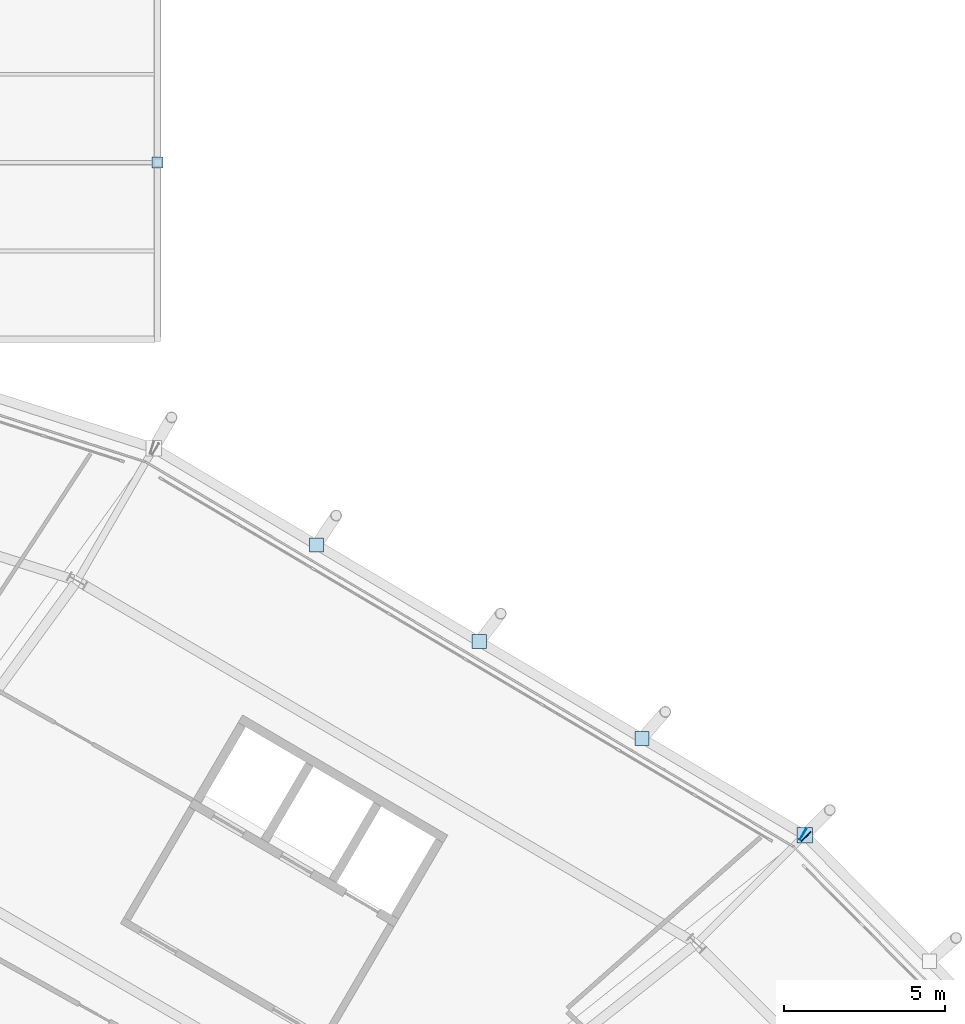
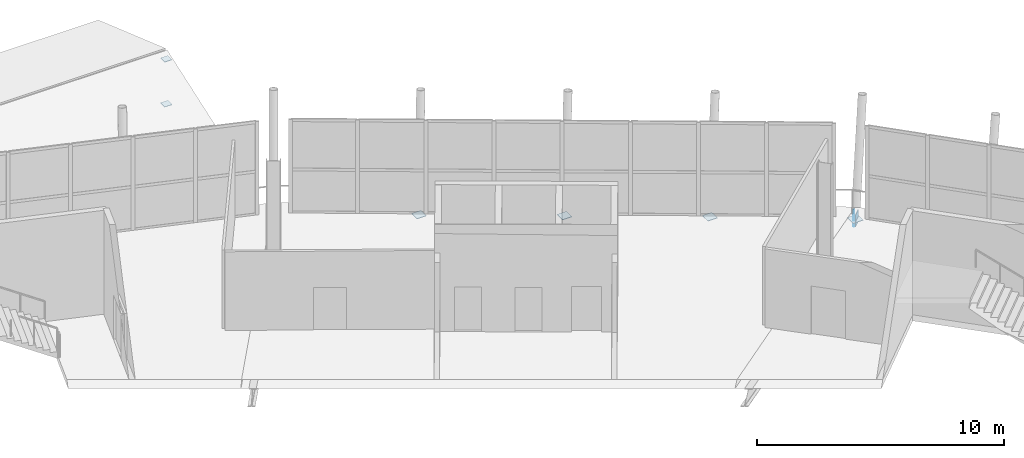
# One storey, part 93 of 126: 8 plates.
"""IFC4 building model written with IfcOpenShell, lengths in metres."""

from ifc_helpers import new_model, si_unit, direction, frame, origin, origin_2d, place, context, subcontext, project, spatial, rectangle, extrude, material, layer, layer_set, type_object, element, save


model = new_model("IFC4")

# Units and contexts
model_context = context("Model", 3, precision=1e-05, world=origin(), true_north=direction((0.0, 1.0)))
body_context = subcontext(model_context, "Body", "Model", "MODEL_VIEW")
ifc_project = project(units=[si_unit("LENGTHUNIT", "METRE"), si_unit("AREAUNIT", "SQUARE_METRE"), si_unit("VOLUMEUNIT", "CUBIC_METRE"), si_unit("PLANEANGLEUNIT", "RADIAN"), si_unit("MASSUNIT", "GRAM", prefix="KILO")], contexts=[model_context])

# Site, building, storey
site_placement = place(None, origin())
site = spatial("IfcSite", under=ifc_project, at=site_placement, CompositionType="ELEMENT")
building_placement = place(site_placement, origin())
building = spatial("IfcBuilding", under=site, at=building_placement, Name="Zlatoyarsky Gate Stadium", CompositionType="ELEMENT")
storey_placement = place(building_placement, frame((0.0, 0.0, 20.800048828125)))
storey = spatial("IfcBuildingStorey", under=building, at=storey_placement, Name="L04", CompositionType="ELEMENT", Elevation=20.800048828125)

# Plates
ifc_material = material(Name="Steel S355", Category="steel")
ifc_layer = layer(ifc_material, 0.02392578125)
ifc_layer_set = layer_set([ifc_layer], Name="Steel S355")
plate_type = type_object("IfcPlateType", Name="STEEL HOLLOW CHORD SPLICE SHEET 24", PredefinedType="SHEET", material=ifc_layer_set)
for number, where, z_axis, x_axis, name in (
    (1, (180.17578125, 133.53466796875, -0.85009765625), (0.0, 0.0, 1.0), (-0.703590883794, 0.71060528301, 0.0), "Hollow end cap ND-SP1 CAP-L04-SPD-02 B"),
    (2, (180.081787109375, 133.60791015625, -0.85009765625), (0.0, 0.0, 1.0), (-0.859509176685, 0.511120313815, 0.0), "Hollow end cap ND-SP1 CAP-L04-SPD-03 A"),
):
    element("IfcPlate", number, at=place(storey_placement, frame(where, z_axis=z_axis, x_axis=x_axis)), inside=storey, type_object=plate_type, Name=name, PredefinedType="SHEET", context=body_context, shape_type="SweptSolid", body=[
        extrude(rectangle(XDim=0.02392578125, YDim=0.39990234375, at=origin_2d()), origin(), (0.0, 0.0, 1.0), 0.60009765625),
    ])
plate_placement = place(storey_placement, frame((180.133544921875, 133.5771484375, -0.612060546875), z_axis=(0.0, 0.0, 1.0), x_axis=(1.0, 0.0, 0.0)))
element("IfcPlate", 3, at=plate_placement, inside=storey, type_object=plate_type, Name="Node closure plate ND-SP1 NCAP-L04-RSTR-03", PredefinedType="SHEET", context=body_context, shape_type="SweptSolid", body=[
    extrude(rectangle(XDim=0.47998046875, YDim=0.47998046875, at=origin_2d()), origin(), (0.0, 0.0, 1.0), 0.02392578125),
])
for number, where, z_axis, x_axis, name in (
    (4, (175.0712890625, 136.58740234375, -0.56201171875), (0.0, 0.0, 1.0), (1.0, 0.0, 0.0), "Node closure plate ND-SP1 NCAP-RIB-03-1-2T"),
    (5, (170.00927734375, 139.597900390625, -0.56201171875), (0.0, 0.0, 1.0), (1.0, 0.0, 0.0), "Node closure plate ND-SP1 NCAP-RIB-03-2-2T"),
    (6, (164.947021484375, 142.608154296875, -0.56201171875), (0.0, 0.0, 1.0), (1.0, 0.0, 0.0), "Node closure plate ND-SP1 NCAP-RIB-03-3-2T"),
):
    element("IfcPlate", number, at=place(storey_placement, frame(where, z_axis=z_axis, x_axis=x_axis)), inside=storey, type_object=plate_type, Name=name, PredefinedType="SHEET", context=body_context, shape_type="SweptSolid", body=[
        extrude(rectangle(XDim=0.43994140625, YDim=0.43994140625, at=origin_2d()), origin(), (0.0, 0.0, 1.0), 0.02392578125),
    ])
for number, where, z_axis, x_axis, name in (
    (7, (160.0, 154.5, -0.56201171875), (0.0, 0.0, 1.0), (1.0, 0.0, 0.0), "Node closure plate ND-SP1 NCAP-KP-V2_NORTH_E-2A"),
    (8, (160.0, 154.5, 1.657958984375), (0.0, 0.0, 1.0), (1.0, 0.0, 0.0), "Node closure plate ND-SP1 NCAP-KP-V2_NORTH_E-2B"),
):
    element("IfcPlate", number, at=place(storey_placement, frame(where, z_axis=z_axis, x_axis=x_axis)), inside=storey, type_object=plate_type, Name=name, PredefinedType="SHEET", context=body_context, shape_type="SweptSolid", body=[
        extrude(rectangle(XDim=0.340087890625, YDim=0.340087890625, at=origin_2d()), origin(), (0.0, 0.0, 1.0), 0.02392578125),
    ])

save(model, "model.ifc")
